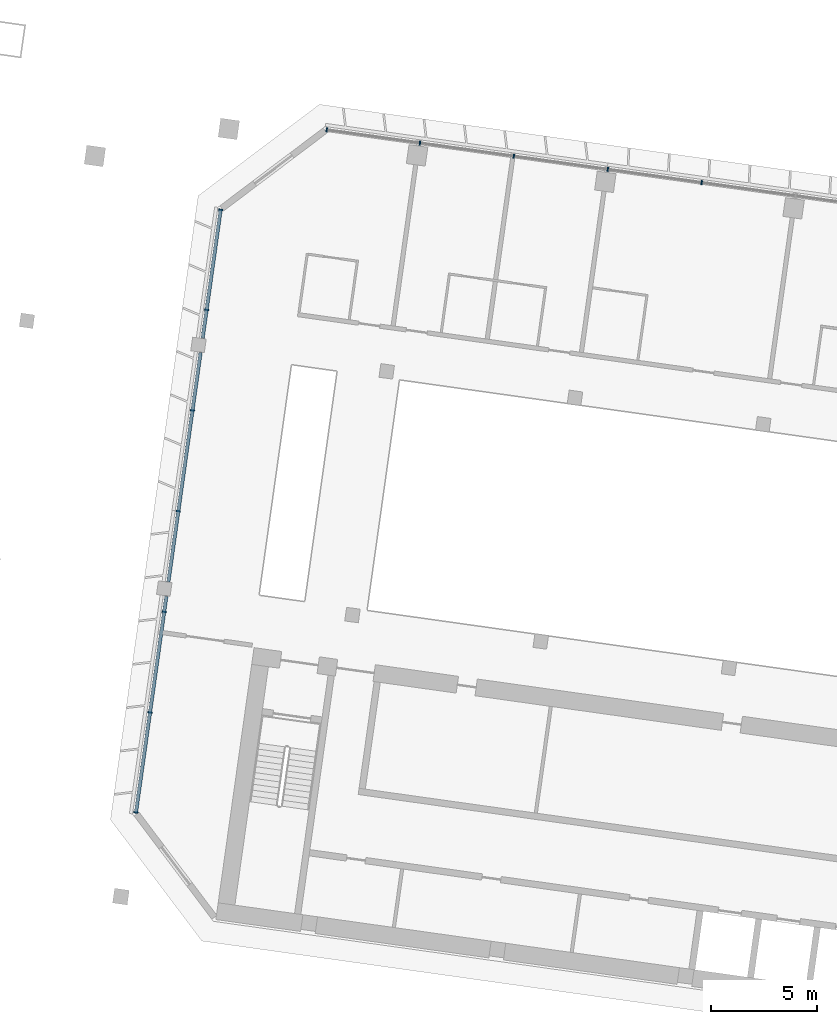
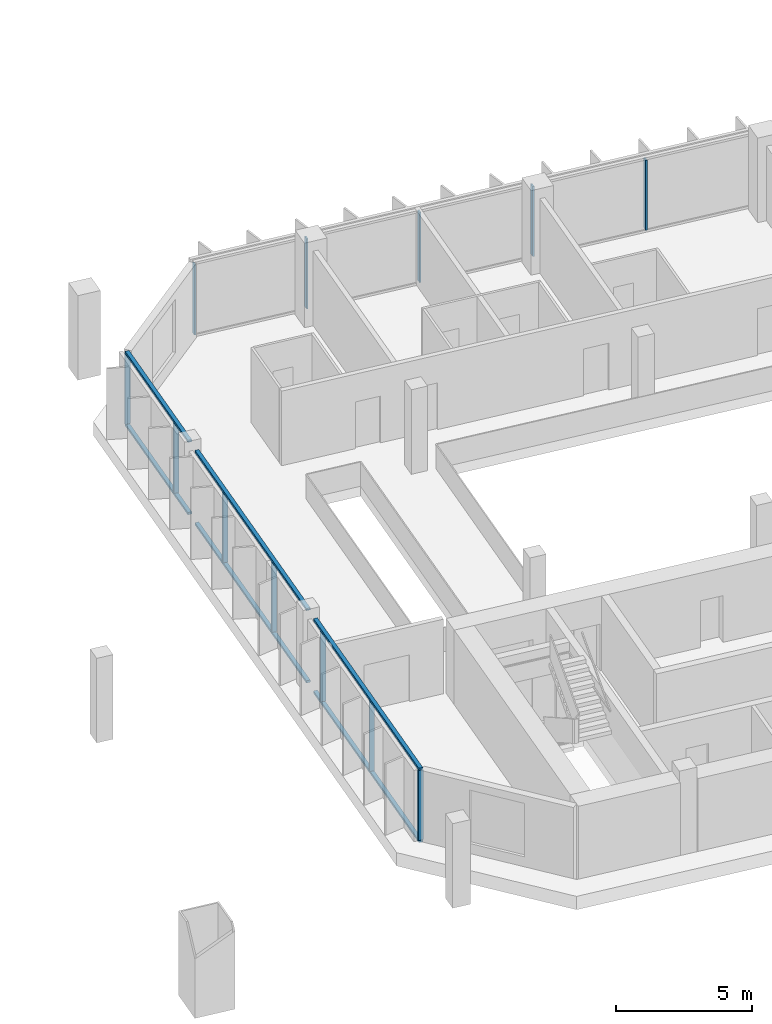
# One storey, part 2 of 26: 18 members, 2 elements without a shape of their own.
"""IFC4 building model written with IfcOpenShell, lengths in metres."""

from ifc_helpers import new_model, si_unit, direction, frame, origin, origin_2d, place, context, subcontext, project, spatial, rectangle, extrude, material, material_profile, profile_set, type_object, element, aggregate, save


model = new_model("IFC4")

# Units and contexts
model_context = context("Model", 3, precision=1e-05, world=origin(), true_north=direction((0.0, 1.0)))
body_context = subcontext(model_context, "Body", "Model", "MODEL_VIEW")
ifc_project = project(units=[si_unit("LENGTHUNIT", "METRE"), si_unit("AREAUNIT", "SQUARE_METRE"), si_unit("VOLUMEUNIT", "CUBIC_METRE"), si_unit("PLANEANGLEUNIT", "RADIAN"), si_unit("MASSUNIT", "GRAM", prefix="KILO")], contexts=[model_context])

# Site, building, storey
site_placement = place(None, origin())
site = spatial("IfcSite", under=ifc_project, at=site_placement, CompositionType="ELEMENT")
building_placement = place(site_placement, origin())
building = spatial("IfcBuilding", under=site, at=building_placement, Name="Mirante Cascada Hotel Towers", CompositionType="ELEMENT")
storey_placement = place(building_placement, frame((0.0, 0.0, 98.7)))
storey = spatial("IfcBuildingStorey", under=building, at=storey_placement, Name="L21", CompositionType="ELEMENT", Elevation=98.7)

# Curtain wall, members
ifc_material_1 = material(Name="Aluminium mullion and transom frame with clear laminated glass", Category="aluminium")
curtain_wall_type_1 = type_object("IfcCurtainWallType", Name="Ribbon curtain wall ECW1", PredefinedType="NOTDEFINED", material=ifc_material_1)
curtain_wall_1_placement = place(storey_placement, origin())
curtain_wall_1 = element("IfcCurtainWall", 1, at=curtain_wall_1_placement, inside=storey, type_object=curtain_wall_type_1, Name="Front ribbon wall T1 L21", PredefinedType="NOTDEFINED")
ifc_material_2 = material(Name="Anodised aluminium extrusion", Category="aluminium")
ifc_material_profile_1 = material_profile(ifc_material_2, rectangle(XDim=0.2, YDim=0.065, at=origin_2d()), Name="ECW1 MULLION 65x200")
ifc_profile_set_1 = profile_set([ifc_material_profile_1], Name="Anodised aluminium extrusion")
member_type_1 = type_object("IfcMemberType", Name="ECW1 mullion 65x200", PredefinedType="MULLION", material=ifc_profile_set_1)
member_1_placement = place(storey_placement, frame((-85.2136, 24.795, 0.1), z_axis=(0.0, 0.0, 1.0), x_axis=(0.1391731, 0.9902681, 0.0)))
member_1 = element("IfcMember", 2, at=member_1_placement, type_object=member_type_1, Name="ECW1 mullion 1", PredefinedType="MULLION", context=body_context, shape_type="SweptSolid", body=[
    extrude(rectangle(XDim=0.2, YDim=0.065, at=origin_2d()), origin(), (0.0, 0.0, 1.0), 3.15),
])
member_2_placement = place(storey_placement, frame((-80.7998, 24.1747, 0.1), z_axis=(0.0, 0.0, 1.0), x_axis=(0.1391731, 0.9902681, 0.0)))
member_2 = element("IfcMember", 3, at=member_2_placement, type_object=member_type_1, Name="ECW1 mullion 2", PredefinedType="MULLION", context=body_context, shape_type="SweptSolid", body=[
    extrude(rectangle(XDim=0.2, YDim=0.065, at=origin_2d()), origin(), (0.0, 0.0, 1.0), 3.15),
])
member_3_placement = place(storey_placement, frame((-76.3538, 23.5499, 0.1), z_axis=(0.0, 0.0, 1.0), x_axis=(0.1391731, 0.9902681, 0.0)))
member_3 = element("IfcMember", 4, at=member_3_placement, type_object=member_type_1, Name="ECW1 mullion 3", PredefinedType="MULLION", context=body_context, shape_type="SweptSolid", body=[
    extrude(rectangle(XDim=0.2, YDim=0.065, at=origin_2d()), origin(), (0.0, 0.0, 1.0), 3.15),
])
member_4_placement = place(storey_placement, frame((-71.9079, 22.925, 0.1), z_axis=(0.0, 0.0, 1.0), x_axis=(0.1391731, 0.9902681, 0.0)))
member_4 = element("IfcMember", 5, at=member_4_placement, type_object=member_type_1, Name="ECW1 mullion 4", PredefinedType="MULLION", context=body_context, shape_type="SweptSolid", body=[
    extrude(rectangle(XDim=0.2, YDim=0.065, at=origin_2d()), origin(), (0.0, 0.0, 1.0), 3.15),
])
member_5_placement = place(storey_placement, frame((-67.4619, 22.3002, 0.1), z_axis=(0.0, 0.0, 1.0), x_axis=(0.1391731, 0.9902681, 0.0)))
member_5 = element("IfcMember", 6, at=member_5_placement, type_object=member_type_1, Name="ECW1 mullion 5", PredefinedType="MULLION", context=body_context, shape_type="SweptSolid", body=[
    extrude(rectangle(XDim=0.2, YDim=0.065, at=origin_2d()), origin(), (0.0, 0.0, 1.0), 3.15),
])
aggregate(curtain_wall_1, [member_1, member_2, member_3, member_4, member_5])

ifc_material_3 = material(Name="Aluminium mullion and transom frame with clear laminated glass", Category="aluminium")
curtain_wall_type_2 = type_object("IfcCurtainWallType", Name="End ribbon curtain wall ECW2", PredefinedType="NOTDEFINED", material=ifc_material_3)
curtain_wall_2_placement = place(storey_placement, origin())
curtain_wall_2 = element("IfcCurtainWall", 7, at=curtain_wall_2_placement, inside=storey, type_object=curtain_wall_type_2, Name="Outer end wall T1 L21", PredefinedType="NOTDEFINED")
ifc_material_4 = material(Name="Anodised aluminium extrusion", Category="aluminium")
ifc_material_profile_2 = material_profile(ifc_material_4, rectangle(XDim=0.2, YDim=0.065, at=origin_2d()), Name="ECW2 MULLION 65x200")
ifc_profile_set_2 = profile_set([ifc_material_profile_2], Name="Anodised aluminium extrusion")
member_type_2 = type_object("IfcMemberType", Name="ECW2 mullion 65x200", PredefinedType="MULLION", material=ifc_profile_set_2)
member_6_placement = place(storey_placement, frame((-94.2432, -7.5181, 0.1), z_axis=(0.0, 0.0, 1.0), x_axis=(-0.9902681, 0.1391731, 0.0)))
member_6 = element("IfcMember", 8, at=member_6_placement, type_object=member_type_2, Name="ECW2 mullion 1", PredefinedType="MULLION", context=body_context, shape_type="SweptSolid", body=[
    extrude(rectangle(XDim=0.2, YDim=0.065, at=origin_2d()), origin(), (0.0, 0.0, 1.0), 3.15),
])
member_7_placement = place(storey_placement, frame((-93.5779, -2.7845, 0.1), z_axis=(0.0, 0.0, 1.0), x_axis=(-0.9902681, 0.1391731, 0.0)))
member_7 = element("IfcMember", 9, at=member_7_placement, type_object=member_type_2, Name="ECW2 mullion 2", PredefinedType="MULLION", context=body_context, shape_type="SweptSolid", body=[
    extrude(rectangle(XDim=0.2, YDim=0.065, at=origin_2d()), origin(), (0.0, 0.0, 1.0), 3.15),
])
member_8_placement = place(storey_placement, frame((-92.9081, 1.9812, 0.1), z_axis=(0.0, 0.0, 1.0), x_axis=(-0.9902681, 0.1391731, 0.0)))
member_8 = element("IfcMember", 10, at=member_8_placement, type_object=member_type_2, Name="ECW2 mullion 3", PredefinedType="MULLION", context=body_context, shape_type="SweptSolid", body=[
    extrude(rectangle(XDim=0.2, YDim=0.065, at=origin_2d()), origin(), (0.0, 0.0, 1.0), 3.15),
])
member_9_placement = place(storey_placement, frame((-92.2383, 6.747, 0.1), z_axis=(0.0, 0.0, 1.0), x_axis=(-0.9902681, 0.1391731, 0.0)))
member_9 = element("IfcMember", 11, at=member_9_placement, type_object=member_type_2, Name="ECW2 mullion 4", PredefinedType="MULLION", context=body_context, shape_type="SweptSolid", body=[
    extrude(rectangle(XDim=0.2, YDim=0.065, at=origin_2d()), origin(), (0.0, 0.0, 1.0), 3.15),
])
member_10_placement = place(storey_placement, frame((-91.5686, 11.5128, 0.1), z_axis=(0.0, 0.0, 1.0), x_axis=(-0.9902681, 0.1391731, 0.0)))
member_10 = element("IfcMember", 12, at=member_10_placement, type_object=member_type_2, Name="ECW2 mullion 5", PredefinedType="MULLION", context=body_context, shape_type="SweptSolid", body=[
    extrude(rectangle(XDim=0.2, YDim=0.065, at=origin_2d()), origin(), (0.0, 0.0, 1.0), 3.15),
])
member_11_placement = place(storey_placement, frame((-90.8988, 16.2786, 0.1), z_axis=(0.0, 0.0, 1.0), x_axis=(-0.9902681, 0.1391731, 0.0)))
member_11 = element("IfcMember", 13, at=member_11_placement, type_object=member_type_2, Name="ECW2 mullion 6", PredefinedType="MULLION", context=body_context, shape_type="SweptSolid", body=[
    extrude(rectangle(XDim=0.2, YDim=0.065, at=origin_2d()), origin(), (0.0, 0.0, 1.0), 3.15),
])
member_12_placement = place(storey_placement, frame((-90.2335, 21.0122, 0.1), z_axis=(0.0, 0.0, 1.0), x_axis=(-0.9902681, 0.1391731, 0.0)))
member_12 = element("IfcMember", 14, at=member_12_placement, type_object=member_type_2, Name="ECW2 mullion 7", PredefinedType="MULLION", context=body_context, shape_type="SweptSolid", body=[
    extrude(rectangle(XDim=0.2, YDim=0.065, at=origin_2d()), origin(), (0.0, 0.0, 1.0), 3.15),
])
ifc_material_5 = material(Name="Anodised aluminium extrusion", Category="aluminium")
ifc_material_profile_3 = material_profile(ifc_material_5, rectangle(XDim=0.16, YDim=0.1, at=origin_2d()), Name="ECW2 TRANSOM 100x160")
ifc_profile_set_3 = profile_set([ifc_material_profile_3], Name="Anodised aluminium extrusion")
member_type_3 = type_object("IfcMemberType", Name="ECW2 transom 100x160", PredefinedType="USERDEFINED", material=ifc_profile_set_3)
member_13_placement = place(storey_placement, frame((-94.2477, -7.5503, 0.05), z_axis=(0.1391713, 0.9902683, 0.0), x_axis=(-0.9902683, 0.1391713, 0.0)))
member_13 = element("IfcMember", 15, at=member_13_placement, type_object=member_type_3, Name="ECW2 sill transom", ObjectType="TRANSOM", PredefinedType="USERDEFINED", context=body_context, shape_type="SweptSolid", body=[
    extrude(rectangle(XDim=0.16, YDim=0.1, at=origin_2d()), origin(), (0.0, 0.0, 1.0), 10.3678),
])
member_14_placement = place(storey_placement, frame((-92.7088, 3.3999, 0.05), z_axis=(0.1391779, 0.9902674, 0.0), x_axis=(-0.9902674, 0.1391779, 0.0)))
member_14 = element("IfcMember", 16, at=member_14_placement, type_object=member_type_3, Name="ECW2 sill transom", ObjectType="TRANSOM", PredefinedType="USERDEFINED", context=body_context, shape_type="SweptSolid", body=[
    extrude(rectangle(XDim=0.16, YDim=0.1, at=origin_2d()), origin(), (0.0, 0.0, 1.0), 10.9601),
])
member_15_placement = place(storey_placement, frame((-91.0874, 14.9365, 0.05), z_axis=(0.1391716, 0.9902683, 0.0), x_axis=(-0.9902683, 0.1391716, 0.0)))
member_15 = element("IfcMember", 17, at=member_15_placement, type_object=member_type_3, Name="ECW2 sill transom", ObjectType="TRANSOM", PredefinedType="USERDEFINED", context=body_context, shape_type="SweptSolid", body=[
    extrude(rectangle(XDim=0.16, YDim=0.1, at=origin_2d()), origin(), (0.0, 0.0, 1.0), 6.1679),
])
member_16_placement = place(storey_placement, frame((-94.2477, -7.5503, 3.3), z_axis=(0.1391713, 0.9902683, 0.0), x_axis=(-0.9902683, 0.1391713, 0.0)))
member_16 = element("IfcMember", 18, at=member_16_placement, type_object=member_type_3, Name="ECW2 head transom", ObjectType="TRANSOM", PredefinedType="USERDEFINED", context=body_context, shape_type="SweptSolid", body=[
    extrude(rectangle(XDim=0.16, YDim=0.1, at=origin_2d()), origin(), (0.0, 0.0, 1.0), 10.3678),
])
member_17_placement = place(storey_placement, frame((-92.7088, 3.3999, 3.3), z_axis=(0.1391779, 0.9902674, 0.0), x_axis=(-0.9902674, 0.1391779, 0.0)))
member_17 = element("IfcMember", 19, at=member_17_placement, type_object=member_type_3, Name="ECW2 head transom", ObjectType="TRANSOM", PredefinedType="USERDEFINED", context=body_context, shape_type="SweptSolid", body=[
    extrude(rectangle(XDim=0.16, YDim=0.1, at=origin_2d()), origin(), (0.0, 0.0, 1.0), 10.9601),
])
member_18_placement = place(storey_placement, frame((-91.0874, 14.9365, 3.3), z_axis=(0.1391716, 0.9902683, 0.0), x_axis=(-0.9902683, 0.1391716, 0.0)))
member_18 = element("IfcMember", 20, at=member_18_placement, type_object=member_type_3, Name="ECW2 head transom", ObjectType="TRANSOM", PredefinedType="USERDEFINED", context=body_context, shape_type="SweptSolid", body=[
    extrude(rectangle(XDim=0.16, YDim=0.1, at=origin_2d()), origin(), (0.0, 0.0, 1.0), 6.1679),
])
aggregate(curtain_wall_2, [member_13, member_14, member_15, member_16, member_17, member_18, member_6, member_7, member_8, member_9, member_10, member_11, member_12])

save(model, "model.ifc")
